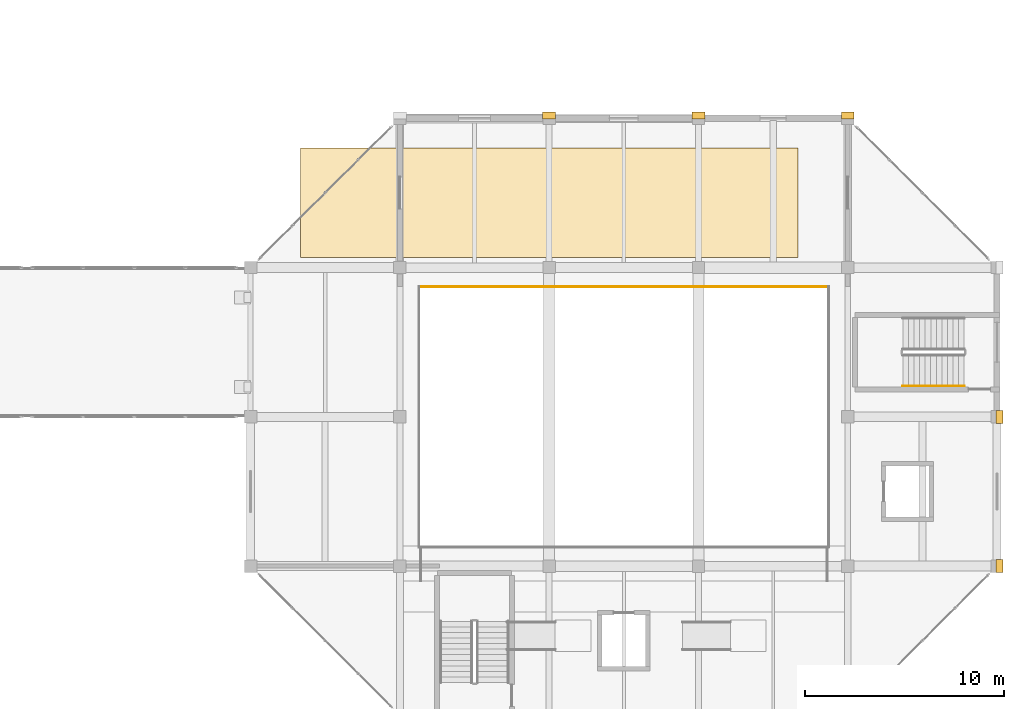
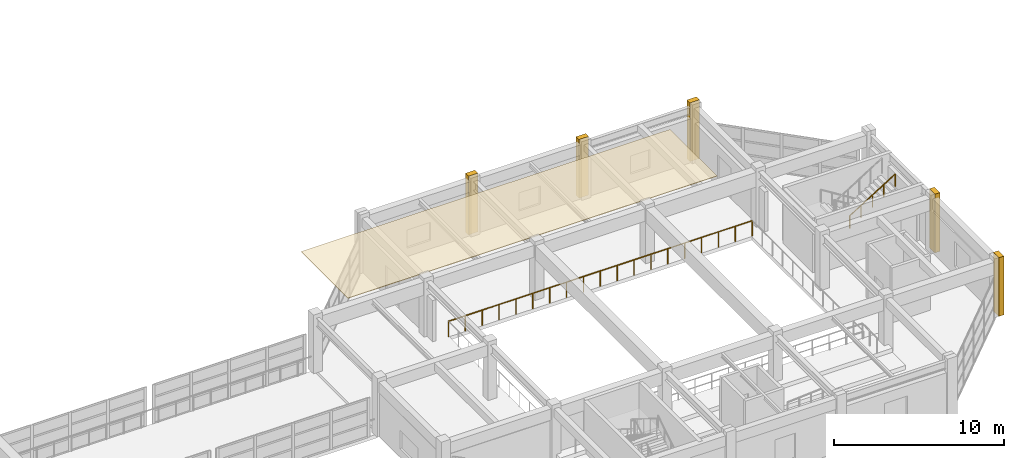
# One storey, part 129 of 132: 6 coverings, 2 railings.
"""IFC4 building model written with IfcOpenShell, lengths in metres."""

from ifc_helpers import new_model, si_unit, direction, frame, origin, origin_2d, place, context, subcontext, project, spatial, polyline, rectangle, circle, outline, extrude, material, layer, layer_set, type_object, element, save


model = new_model("IFC4")

# Units and contexts
model_context = context("Model", 3, precision=1e-05, world=origin(), true_north=direction((0.0, 1.0)))
body_context = subcontext(model_context, "Body", "Model", "MODEL_VIEW")
ifc_project = project(units=[si_unit("LENGTHUNIT", "METRE"), si_unit("AREAUNIT", "SQUARE_METRE"), si_unit("VOLUMEUNIT", "CUBIC_METRE"), si_unit("PLANEANGLEUNIT", "RADIAN"), si_unit("MASSUNIT", "GRAM", prefix="KILO")], contexts=[model_context])

# Site, building, storey
site_placement = place(None, origin())
site = spatial("IfcSite", under=ifc_project, at=site_placement, CompositionType="ELEMENT")
building_placement = place(site_placement, origin())
building = spatial("IfcBuilding", under=site, at=building_placement, Name="Qasida Concert Hall", CompositionType="ELEMENT")
storey_placement = place(building_placement, frame((0.0, 0.0, 4.800048828125)))
storey = spatial("IfcBuildingStorey", under=building, at=storey_placement, Name="L01", CompositionType="ELEMENT", Elevation=4.800048828125)

# Coverings
ifc_material_1 = material(Name="Sculpted fibrous plaster acoustic reflector ceiling", Category="gypsum")
ifc_layer_1 = layer(ifc_material_1, 0.0400390625, Name="Sculpted fibrous plaster acoustic reflector ceiling")
ifc_layer_set_1 = layer_set([ifc_layer_1], Name="Sculpted fibrous plaster acoustic reflector ceiling")
covering_type_1 = type_object("IfcCoveringType", Name="CV-CE-1", PredefinedType="CEILING", material=ifc_layer_set_1)
covering_placement = place(storey_placement, frame((0.0, 0.0, 3.919921875)))
element("IfcCovering", 1, at=covering_placement, inside=storey, type_object=covering_type_1, Name="L01 acoustic reflector ceiling 04", PredefinedType="CEILING", context=body_context, shape_type="SweptSolid", body=[
    extrude(outline(polyline([(130.0, 23.0), (155.0, 23.0), (155.0, 28.5), (130.0, 28.5), (130.0, 23.0)])), origin(), (0.0, 0.0, 1.0), 0.0400390625),
])
ifc_material_2 = material(Name="Projecting fluted Lebanese limestone Art Deco pilaster", Category="masonry")
ifc_layer_2 = layer(ifc_material_2, 0.35009765625, Name="Projecting fluted Lebanese limestone Art Deco pilaster")
ifc_layer_set_2 = layer_set([ifc_layer_2], Name="Projecting fluted Lebanese limestone Art Deco pilaster")
covering_type_2 = type_object("IfcCoveringType", Name="CV-PIL-650", PredefinedType="CLADDING", material=ifc_layer_set_2)
for number, where, z_axis, x_axis, name in (
    (2, (142.5, 30.135009765625, 0.0), (0.0, 0.0, 1.0), (1.0, 0.0, 0.0), "L01 fluted limestone pilaster 0204"),
    (3, (150.0, 30.135009765625, 0.0), (0.0, 0.0, 1.0), (1.0, 0.0, 0.0), "L01 fluted limestone pilaster 0212"),
    (4, (157.5, 30.135009765625, 0.0), (0.0, 0.0, 1.0), (1.0, 0.0, 0.0), "L01 fluted limestone pilaster 0220"),
):
    element("IfcCovering", number, at=place(storey_placement, frame(where, z_axis=z_axis, x_axis=x_axis)), inside=storey, type_object=covering_type_2, Name=name, PredefinedType="CLADDING", context=body_context, shape_type="SweptSolid", body=[
        extrude(rectangle(XDim=0.64990234375, YDim=0.35009765625, at=origin_2d()), origin(), (0.0, 0.0, 1.0), 4.199951171875),
    ])
for number, where, z_axis, x_axis, name in (
    (5, (165.135009765625, 7.5, 0.0), (0.0, 0.0, 1.0), (1.0, 0.0, 0.0), "L01 fluted limestone pilaster 0224"),
    (6, (165.135009765625, 15.0, 0.0), (0.0, 0.0, 1.0), (1.0, 0.0, 0.0), "L01 fluted limestone pilaster 0228"),
):
    element("IfcCovering", number, at=place(storey_placement, frame(where, z_axis=z_axis, x_axis=x_axis)), inside=storey, type_object=covering_type_2, Name=name, PredefinedType="CLADDING", context=body_context, shape_type="SweptSolid", body=[
        extrude(rectangle(XDim=0.35009765625, YDim=0.64990234375, at=origin_2d()), origin(), (0.0, 0.0, 1.0), 4.199951171875),
    ])

# Railings
ifc_material_3 = material(Name="Carved Lebanese limestone and bronze top rail", Category="masonry")
ifc_layer_3 = layer(ifc_material_3, 0.10009765625, Name="Carved Lebanese limestone and bronze top rail")
ifc_layer_set_3 = layer_set([ifc_layer_3], Name="Carved Lebanese limestone and bronze top rail")
railing_type_1 = type_object("IfcRailingType", Name="RL-BAL-1100", PredefinedType="BALUSTRADE", material=ifc_layer_set_3)
railing_1_placement = place(storey_placement, frame((156.5400390625, 21.5400390625, 0.0)))
element("IfcRailing", 7, at=railing_1_placement, inside=storey, type_object=railing_type_1, Name="L01 Chamber balcony balustrade 0044", PredefinedType="BALUSTRADE", context=body_context, shape_type="SweptSolid", body=[
    extrude(circle(Radius=0.02392578125, at=origin_2d()), frame((0.0, 0.0, 1.09619140625), z_axis=(-1.0, 0.0, 0.0), x_axis=(0.0, -1.0, 0.0)), (0.0, 0.0, 1.0), 20.580078125),
    extrude(circle(Radius=0.02099609375, at=origin_2d()), origin(), (0.0, 0.0, 1.0), 1.072021484375),
    extrude(circle(Radius=0.02099609375, at=origin_2d()), frame((-1.143310546875, 0.0, 0.0)), (0.0, 0.0, 1.0), 1.072021484375),
    extrude(circle(Radius=0.02099609375, at=origin_2d()), frame((-2.28662109375, 0.0, 0.0)), (0.0, 0.0, 1.0), 1.072021484375),
    extrude(circle(Radius=0.02099609375, at=origin_2d()), frame((-3.429931640625, 0.0, 0.0)), (0.0, 0.0, 1.0), 1.072021484375),
    extrude(circle(Radius=0.02099609375, at=origin_2d()), frame((-4.5732421875, 0.0, 0.0)), (0.0, 0.0, 1.0), 1.072021484375),
    extrude(circle(Radius=0.02099609375, at=origin_2d()), frame((-5.716796875, 0.0, 0.0)), (0.0, 0.0, 1.0), 1.072021484375),
    extrude(circle(Radius=0.02099609375, at=origin_2d()), frame((-6.860107421875, 0.0, 0.0)), (0.0, 0.0, 1.0), 1.072021484375),
    extrude(circle(Radius=0.02099609375, at=origin_2d()), frame((-8.00341796875, 0.0, 0.0)), (0.0, 0.0, 1.0), 1.072021484375),
    extrude(circle(Radius=0.02099609375, at=origin_2d()), frame((-9.146728515625, 0.0, 0.0)), (0.0, 0.0, 1.0), 1.072021484375),
    extrude(circle(Radius=0.02099609375, at=origin_2d()), frame((-10.2900390625, 0.0, 0.0)), (0.0, 0.0, 1.0), 1.072021484375),
    extrude(circle(Radius=0.02099609375, at=origin_2d()), frame((-11.433349609375, 0.0, 0.0)), (0.0, 0.0, 1.0), 1.072021484375),
    extrude(circle(Radius=0.02099609375, at=origin_2d()), frame((-12.57666015625, 0.0, 0.0)), (0.0, 0.0, 1.0), 1.072021484375),
    extrude(circle(Radius=0.02099609375, at=origin_2d()), frame((-13.719970703125, 0.0, 0.0)), (0.0, 0.0, 1.0), 1.072021484375),
    extrude(circle(Radius=0.02099609375, at=origin_2d()), frame((-14.86328125, 0.0, 0.0)), (0.0, 0.0, 1.0), 1.072021484375),
    extrude(circle(Radius=0.02099609375, at=origin_2d()), frame((-16.0068359375, 0.0, 0.0)), (0.0, 0.0, 1.0), 1.072021484375),
    extrude(circle(Radius=0.02099609375, at=origin_2d()), frame((-17.150146484375, 0.0, 0.0)), (0.0, 0.0, 1.0), 1.072021484375),
    extrude(circle(Radius=0.02099609375, at=origin_2d()), frame((-18.29345703125, 0.0, 0.0)), (0.0, 0.0, 1.0), 1.072021484375),
    extrude(circle(Radius=0.02099609375, at=origin_2d()), frame((-19.436767578125, 0.0, 0.0)), (0.0, 0.0, 1.0), 1.072021484375),
    extrude(circle(Radius=0.02099609375, at=origin_2d()), frame((-20.580078125, 0.0, 0.0)), (0.0, 0.0, 1.0), 1.072021484375),
])
ifc_material_4 = material(Name="Patinated tubular architectural bronze", Category="steel")
ifc_layer_4 = layer(ifc_material_4, 0.050048828125, Name="Patinated tubular architectural bronze")
ifc_layer_set_4 = layer_set([ifc_layer_4], Name="Patinated tubular architectural bronze")
railing_type_2 = type_object("IfcRailingType", Name="RL-HND-900", PredefinedType="HANDRAIL", material=ifc_layer_set_4)
railing_2_placement = place(storey_placement, frame((160.27001953125, 16.550048828125, 2.27490234375)))
element("IfcRailing", 8, at=railing_2_placement, inside=storey, type_object=railing_type_2, Name="L01 ST-10 stair handrail 2", PredefinedType="HANDRAIL", context=body_context, shape_type="SweptSolid", body=[
    extrude(circle(Radius=0.02392578125, at=origin_2d()), frame((0.0, 0.0, 0.8759765625), z_axis=(0.847998304005, 0.0, 0.529998940003), x_axis=(0.0, 1.0, 0.0)), (0.0, 0.0, 1.0), 3.632080078125),
    extrude(circle(Radius=0.02099609375, at=origin_2d()), origin(), (0.0, 0.0, 1.0), 0.851806640625),
    extrude(circle(Radius=0.02099609375, at=origin_2d()), frame((0.77001953125, 0.0, 0.481201171875)), (0.0, 0.0, 1.0), 0.851806640625),
    extrude(circle(Radius=0.02099609375, at=origin_2d()), frame((1.5400390625, 0.0, 0.96240234375)), (0.0, 0.0, 1.0), 0.851806640625),
    extrude(circle(Radius=0.02099609375, at=origin_2d()), frame((2.31005859375, 0.0, 1.44384765625)), (0.0, 0.0, 1.0), 0.851806640625),
    extrude(circle(Radius=0.02099609375, at=origin_2d()), frame((3.080078125, 0.0, 1.925048828125)), (0.0, 0.0, 1.0), 0.851806640625),
])

save(model, "model.ifc")
